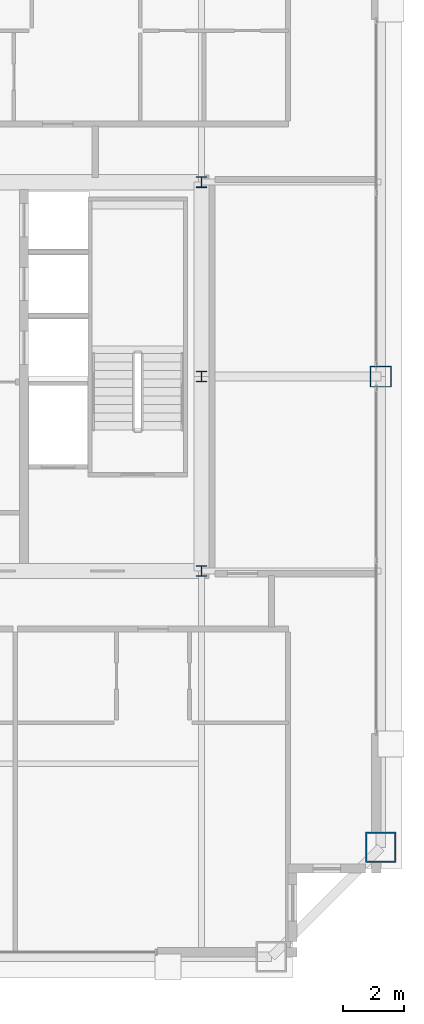
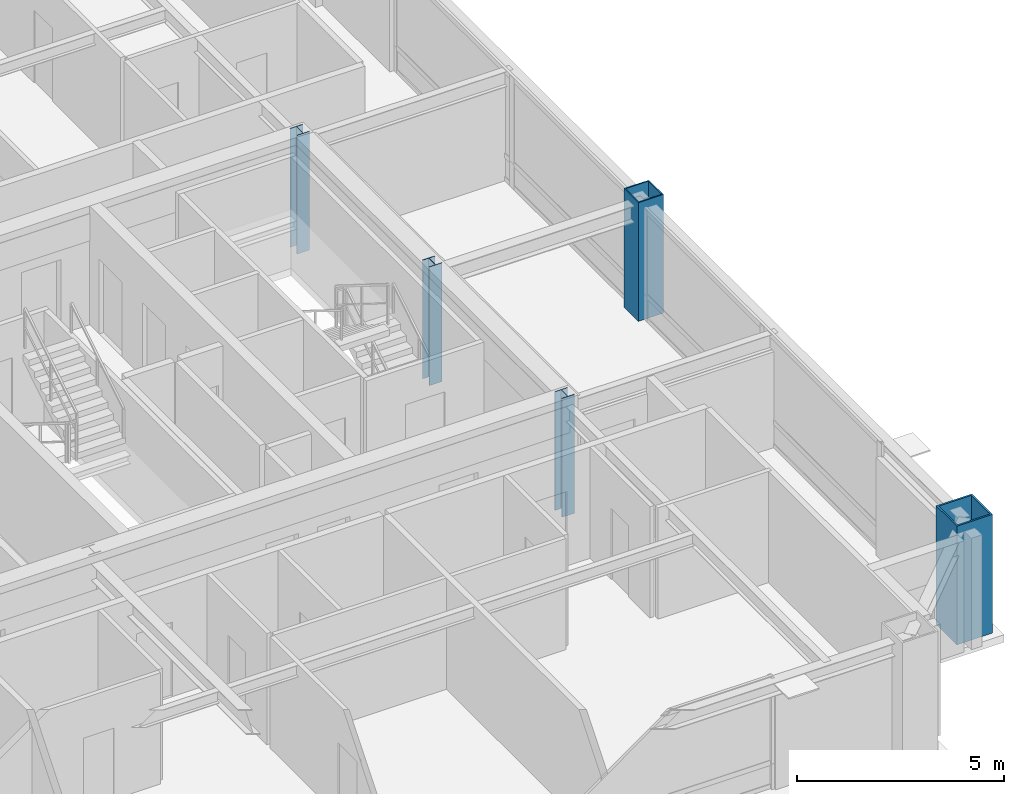
# One storey, part 2 of 35: 5 columns.
"""IFC4 building model written with IfcOpenShell, lengths in metres."""

from ifc_helpers import new_model, si_unit, direction, frame, origin, origin_2d, place, context, subcontext, project, spatial, hollow_rectangle, i_section, extrude, source, transform, mapped, material, material_profile, profile_set, type_object, element, save


model = new_model("IFC4")

# Units and contexts
model_context = context("Model", 3, precision=1e-05, world=origin(), true_north=direction((0.0, 1.0)))
body_context = subcontext(model_context, "Body", "Model", "MODEL_VIEW")
ifc_project = project(units=[si_unit("LENGTHUNIT", "METRE"), si_unit("AREAUNIT", "SQUARE_METRE"), si_unit("VOLUMEUNIT", "CUBIC_METRE"), si_unit("PLANEANGLEUNIT", "RADIAN"), si_unit("MASSUNIT", "GRAM", prefix="KILO"), si_unit("THERMODYNAMICTEMPERATUREUNIT", "KELVIN"), si_unit("POWERUNIT", "WATT")], contexts=[model_context])

# Site, building, storey
site_placement = place(None, origin())
site = spatial("IfcSite", under=ifc_project, at=site_placement, CompositionType="ELEMENT")
building_placement = place(site_placement, origin())
building = spatial("IfcBuilding", under=site, at=building_placement, Name="Yuzanri Waterfront Tower", CompositionType="ELEMENT")
storey_placement = place(building_placement, frame((0.0, 0.0, 332.199951171875)))
storey = spatial("IfcBuildingStorey", under=building, at=storey_placement, Name="L89", CompositionType="ELEMENT", Elevation=332.199951171875)

# Columns
ifc_material_1 = material(Name="Steel Q355B", Category="steel")
ifc_material_profile_1 = material_profile(ifc_material_1, hollow_rectangle(XDim=0.699951171875, YDim=0.699951171875, WallThickness=0.031982421875, at=origin_2d()), Name="RHS 700x700x32")
ifc_profile_set_1 = profile_set([ifc_material_profile_1], Name="Steel Q355B")
column_type_1 = type_object("IfcColumnType", Name="Frame Column Q355B RHS 700x700x32", PredefinedType="COLUMN", material=ifc_profile_set_1)
shared_shape_1 = source(origin(), body_context, "Body", "SweptSolid", [
    extrude(hollow_rectangle(XDim=0.699951171875, YDim=0.699951171875, WallThickness=0.031982421875, at=origin_2d()), origin(), (0.0, 0.0, 1.0), 3.5),
])
column_1_placement = place(storey_placement, frame((56.10009765625, 25.800048828125, 0.0), z_axis=(0.0, 0.0, 1.0), x_axis=(1.0, 0.0, 0.0)))
element("IfcColumn", 1, at=column_1_placement, inside=storey, type_object=column_type_1, Name="L89 Perimeter Frame Column E2", PredefinedType="COLUMN", context=body_context, shape_type="MappedRepresentation", body=[
    mapped(shared_shape_1, transform((0.0, 0.0, 0.0), scale=1.0)),
])
ifc_material_2 = material(Name="Steel Q355B", Category="steel")
ifc_material_profile_2 = material_profile(ifc_material_2, i_section(OverallWidth=0.35009765625, OverallDepth=0.35009765625, WebThickness=0.011962890625, FlangeThickness=0.01904296875, at=origin_2d()), Name="HW 350x350x12x19")
ifc_profile_set_2 = profile_set([ifc_material_profile_2], Name="Steel Q355B")
column_type_2 = type_object("IfcColumnType", Name="Core Post Q355B HW 350x350x12x19", PredefinedType="COLUMN", material=ifc_profile_set_2)
shared_shape_2 = source(origin(), body_context, "Body", "SweptSolid", [
    extrude(i_section(OverallWidth=0.35009765625, OverallDepth=0.35009765625, WebThickness=0.011962890625, FlangeThickness=0.01904296875, at=origin_2d()), origin(), (0.0, 0.0, 1.0), 3.5),
])
for number, where, z_axis, x_axis, name in (
    (2, (50.199951171875, 19.39990234375, 0.0), (0.0, 0.0, 1.0), (1.0, 0.0, 0.0), "L89 Core Boundary Column CP3"),
    (3, (50.199951171875, 25.800048828125, 0.0), (0.0, 0.0, 1.0), (1.0, 0.0, 0.0), "L89 Core Boundary Column CP5"),
    (4, (50.199951171875, 32.199951171875, 0.0), (0.0, 0.0, 1.0), (1.0, 0.0, 0.0), "L89 Core Boundary Column CP8"),
):
    element("IfcColumn", number, at=place(storey_placement, frame(where, z_axis=z_axis, x_axis=x_axis)), inside=storey, type_object=column_type_2, Name=name, PredefinedType="COLUMN", context=body_context, shape_type="MappedRepresentation", body=[
        mapped(shared_shape_2, transform((0.0, 0.0, 0.0), scale=1.0)),
    ])
ifc_material_3 = material(Name="Steel Q390GJC", Category="steel")
ifc_material_profile_3 = material_profile(ifc_material_3, hollow_rectangle(XDim=1.0, YDim=1.0, WallThickness=0.048095703125, at=origin_2d()), Name="RHS 1000x1000x48")
ifc_profile_set_3 = profile_set([ifc_material_profile_3], Name="Steel Q390GJC")
column_type_3 = type_object("IfcColumnType", Name="Mega Column Q390GJC RHS 1000x1000x48", PredefinedType="COLUMN", material=ifc_profile_set_3)
shared_shape_3 = source(origin(), body_context, "Body", "SweptSolid", [
    extrude(hollow_rectangle(XDim=1.0, YDim=1.0, WallThickness=0.048095703125, at=origin_2d()), origin(), (0.0, 0.0, 1.0), 3.5),
])
column_2_placement = place(storey_placement, frame((56.10009765625, 10.300048828125, 0.0), z_axis=(0.0, 0.0, 1.0), x_axis=(1.0, 0.0, 0.0)))
element("IfcColumn", 5, at=column_2_placement, inside=storey, type_object=column_type_3, Name="L89 Perimeter Mega Column E1", PredefinedType="COLUMN", context=body_context, shape_type="MappedRepresentation", body=[
    mapped(shared_shape_3, transform((0.0, 0.0, 0.0), scale=1.0)),
])

save(model, "model.ifc")
